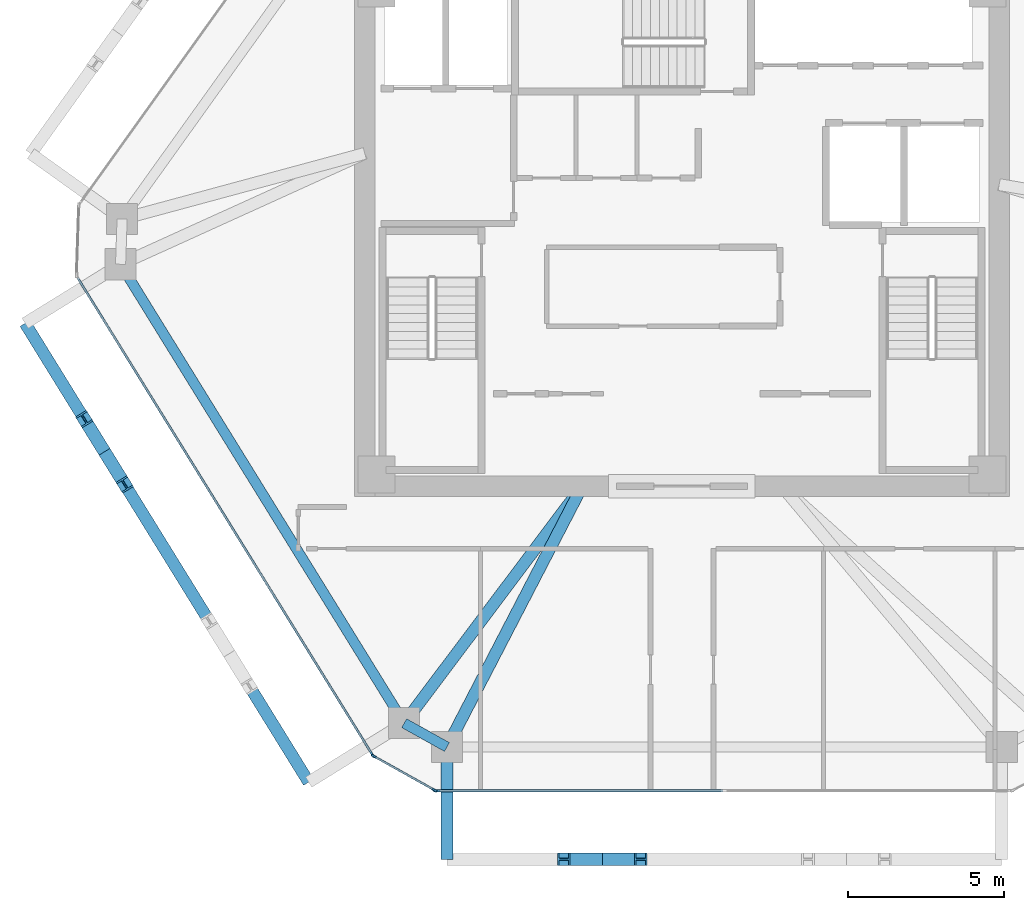
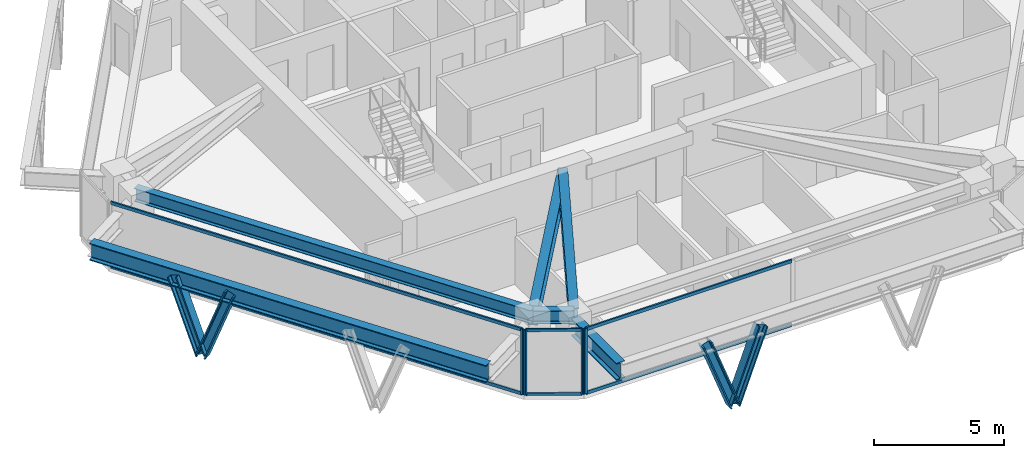
# One storey, part 2 of 11: 14 members, 6 beams, 3 elements without a shape of their own.
"""IFC4 building model written with IfcOpenShell, lengths in metres."""

from ifc_helpers import new_model, si_unit, direction, frame, origin, origin_2d, place, context, subcontext, project, spatial, rectangle, i_section, extrude, source, transform, mapped, material, layer, layer_set, material_profile, profile_set, type_object, type_shapes, element, aggregate, save


model = new_model("IFC4")

# Units and contexts
model_context = context("Model", 3, precision=1e-05, world=origin(), true_north=direction((0.0, 1.0)))
body_context = subcontext(model_context, "Body", "Model", "MODEL_VIEW")
ifc_project = project(units=[si_unit("LENGTHUNIT", "METRE"), si_unit("AREAUNIT", "SQUARE_METRE"), si_unit("VOLUMEUNIT", "CUBIC_METRE"), si_unit("PLANEANGLEUNIT", "RADIAN"), si_unit("MASSUNIT", "GRAM", prefix="KILO")], contexts=[model_context])

# Site, building, storey
site_placement = place(None, origin())
site = spatial("IfcSite", under=ifc_project, at=site_placement, CompositionType="ELEMENT")
building_placement = place(site_placement, origin())
building = spatial("IfcBuilding", under=site, at=building_placement, Name="Durnholm Broadcast Tower", CompositionType="ELEMENT")
storey_placement = place(building_placement, frame((0.0, 0.0, 177.10009765625)))
storey = spatial("IfcBuildingStorey", under=building, at=storey_placement, Name="L48", CompositionType="ELEMENT", Elevation=177.10009765625)

# Beams
ifc_material_1 = material(Name="Steel ASTM A992 Grade 50", Category="steel")
ifc_material_profile_1 = material_profile(ifc_material_1, i_section(OverallWidth=0.385009765625, OverallDepth=0.802978515625, WebThickness=0.023681640625, FlangeThickness=0.0419921875, FilletRadius=0.032958984375, at=origin_2d()), Name="W30X261")
ifc_profile_set_1 = profile_set([ifc_material_profile_1], Name="Steel ASTM A992 Grade 50")
beam_type_1 = type_object("IfcBeamType", Name="BM-EXO-TIE", PredefinedType="USERDEFINED", material=ifc_profile_set_1)
shared_shape_1 = source(origin(), body_context, "Body", "SweptSolid", [
    extrude(i_section(OverallWidth=0.385009765625, OverallDepth=0.802978515625, WebThickness=0.023681640625, FlangeThickness=0.0419921875, FilletRadius=0.032958984375, at=origin_2d()), origin(), (0.0, 0.0, 1.0), 3.4560546875),
])
beam_1_placement = place(storey_placement, frame((-7.53955078125, -16.68603515625, 2.308349609375), z_axis=(0.0, -1.0, 0.0), x_axis=(1.0, 0.0, 0.0)))
element("IfcBeam", 1, at=beam_1_placement, inside=storey, type_object=beam_type_1, Name="L48 exoskeleton stand-off tie bracket F1.1", ObjectType="GIRDER", PredefinedType="USERDEFINED", context=body_context, shape_type="MappedRepresentation", body=[
    mapped(shared_shape_1, transform((0.0, 0.0, 0.0), x_axis=(1.0, 0.0, 0.0), y_axis=(0.0, 1.0, 0.0), z_axis=(0.0, 0.0, 1.0), scale=1.0)),
])
ifc_material_profile_2 = material_profile(ifc_material_1, i_section(OverallWidth=0.3251953125, OverallDepth=0.6162109375, WebThickness=0.013916015625, FlangeThickness=0.021484375, FilletRadius=0.02783203125, at=origin_2d()), Name="W24X117")
ifc_profile_set_2 = profile_set([ifc_material_profile_2], Name="Steel ASTM A992 Grade 50")
beam_type_2 = type_object("IfcBeamType", Name="STL-SP-W24X117", PredefinedType="SPANDREL", material=ifc_profile_set_2)
shared_shape_2 = source(origin(), body_context, "Body", "SweptSolid", [
    extrude(i_section(OverallWidth=0.3251953125, OverallDepth=0.6162109375, WebThickness=0.013916015625, FlangeThickness=0.021484375, FilletRadius=0.02783203125, at=origin_2d()), origin(), (0.0, 0.0, 1.0), 17.3037109375),
])
beam_2_placement = place(storey_placement, frame((-8.91259765625, -15.7763671875, 2.73681640625), z_axis=(-0.525695324718, 0.850672925142, 0.0), x_axis=(-0.850672925142, -0.525695324718, 0.0)))
element("IfcBeam", 2, at=beam_2_placement, inside=storey, type_object=beam_type_2, Name="L48 perimeter spandrel girder 01", PredefinedType="SPANDREL", context=body_context, shape_type="MappedRepresentation", body=[
    mapped(shared_shape_2, transform((0.0, 0.0, 0.0), x_axis=(1.0, 0.0, 0.0), y_axis=(0.0, 1.0, 0.0), z_axis=(0.0, 0.0, 1.0), scale=1.0)),
])
shared_shape_3 = source(origin(), body_context, "Body", "SweptSolid", [
    extrude(i_section(OverallWidth=0.3251953125, OverallDepth=0.6162109375, WebThickness=0.013916015625, FlangeThickness=0.021484375, FilletRadius=0.02783203125, at=origin_2d()), origin(), (0.0, 0.0, 1.0), 1.572021484375),
])
type_shapes(beam_type_2, [shared_shape_2, shared_shape_3])
beam_3_placement = place(storey_placement, frame((-7.53955078125, -16.5419921875, 2.73681640625), z_axis=(-0.873394362663, 0.487013641769, 0.0), x_axis=(-0.487013641769, -0.873394362663, 0.0)))
element("IfcBeam", 3, at=beam_3_placement, inside=storey, type_object=beam_type_2, Name="L48 perimeter spandrel girder 12", PredefinedType="SPANDREL", context=body_context, shape_type="MappedRepresentation", body=[
    mapped(shared_shape_3, transform((0.0, 0.0, 0.0), x_axis=(1.0, 0.0, 0.0), y_axis=(0.0, 1.0, 0.0), z_axis=(0.0, 0.0, 1.0), scale=1.0)),
])
shared_shape_4 = source(origin(), body_context, "Body", "SweptSolid", [
    extrude(i_section(OverallWidth=0.385009765625, OverallDepth=0.802978515625, WebThickness=0.023681640625, FlangeThickness=0.0419921875, FilletRadius=0.032958984375, at=origin_2d()), origin(), (0.0, 0.0, 1.0), 17.303466796875),
])
type_shapes(beam_type_1, [shared_shape_1, shared_shape_4])
beam_4_placement = place(storey_placement, frame((-21.071533203125, -2.94921875, 2.308349609375), z_axis=(0.525701634347, -0.850669025911, 0.0), x_axis=(0.850669025911, 0.525701634347, 0.0)))
element("IfcBeam", 4, at=beam_4_placement, inside=storey, type_object=beam_type_1, Name="L48 exoskeleton collector spandrel F6", PredefinedType="SPANDREL", context=body_context, shape_type="MappedRepresentation", body=[
    mapped(shared_shape_4, transform((0.0, 0.0, 0.0), x_axis=(1.0, 0.0, 0.0), y_axis=(0.0, 1.0, 0.0), z_axis=(0.0, 0.0, 1.0), scale=1.0)),
])
ifc_material_profile_3 = material_profile(ifc_material_1, i_section(OverallWidth=0.380615234375, OverallDepth=0.773193359375, WebThickness=0.0166015625, FlangeThickness=0.027099609375, FilletRadius=0.032958984375, at=origin_2d()), Name="W30X173")
ifc_profile_set_3 = profile_set([ifc_material_profile_3], Name="Steel ASTM A992 Grade 50")
beam_type_3 = type_object("IfcBeamType", Name="STL-GR-W30X173", PredefinedType="USERDEFINED", material=ifc_profile_set_3)
shared_shape_5 = source(origin(), body_context, "Body", "SweptSolid", [
    extrude(i_section(OverallWidth=0.380615234375, OverallDepth=0.773193359375, WebThickness=0.0166015625, FlangeThickness=0.027099609375, FilletRadius=0.032958984375, at=origin_2d()), origin(), (0.0, 0.0, 1.0), 9.508544921875),
])
beam_5_placement = place(storey_placement, frame((-3.199951171875, -8.175048828125, 2.658203125), z_axis=(-0.600784359039, -0.799411129479, 0.0), x_axis=(0.799411129479, -0.600784359039, 0.0)))
element("IfcBeam", 5, at=beam_5_placement, inside=storey, type_object=beam_type_3, Name="L48 radial primary floor girder 01", ObjectType="GIRDER", PredefinedType="USERDEFINED", context=body_context, shape_type="MappedRepresentation", body=[
    mapped(shared_shape_5, transform((0.0, 0.0, 0.0), x_axis=(1.0, 0.0, 0.0), y_axis=(0.0, 1.0, 0.0), z_axis=(0.0, 0.0, 1.0), scale=1.0)),
])
shared_shape_6 = source(origin(), body_context, "Body", "SweptSolid", [
    extrude(i_section(OverallWidth=0.380615234375, OverallDepth=0.773193359375, WebThickness=0.0166015625, FlangeThickness=0.027099609375, FilletRadius=0.032958984375, at=origin_2d()), origin(), (0.0, 0.0, 1.0), 9.42529296875),
])
type_shapes(beam_type_3, [shared_shape_5, shared_shape_6])
beam_6_placement = place(storey_placement, frame((-3.199951171875, -8.175048828125, 2.658203125), z_axis=(-0.460416206992, -0.887703169048, 0.0), x_axis=(0.887703169048, -0.460416206992, 0.0)))
element("IfcBeam", 6, at=beam_6_placement, inside=storey, type_object=beam_type_3, Name="L48 radial primary floor girder 12", ObjectType="GIRDER", PredefinedType="USERDEFINED", context=body_context, shape_type="MappedRepresentation", body=[
    mapped(shared_shape_6, transform((0.0, 0.0, 0.0), x_axis=(1.0, 0.0, 0.0), y_axis=(0.0, 1.0, 0.0), z_axis=(0.0, 0.0, 1.0), scale=1.0)),
])

# Members
ifc_material_2 = material(Name="Steel ASTM A913 Grade 65", Category="steel")
ifc_material_profile_4 = material_profile(ifc_material_2, i_section(OverallWidth=0.412109375, OverallDepth=0.434814453125, WebThickness=0.035888671875, FlangeThickness=0.057373046875, FilletRadius=0.030517578125, at=origin_2d()), Name="W14X311")
ifc_profile_set_4 = profile_set([ifc_material_profile_4], Name="Steel ASTM A913 Grade 65")
member_type_1 = type_object("IfcMemberType", Name="STL-DG-W14X311", PredefinedType="BRACE", material=ifc_profile_set_4)
shared_shape_7 = source(origin(), body_context, "Body", "SweptSolid", [
    extrude(i_section(OverallWidth=0.412109375, OverallDepth=0.434814453125, WebThickness=0.035888671875, FlangeThickness=0.057373046875, FilletRadius=0.030517578125, at=origin_2d()), origin(), (0.0, 0.0, 1.0), 3.52294921875),
])
type_shapes(member_type_1, [shared_shape_7])
for number, where, z_axis, x_axis, name in (
    (7, (-2.556640625, -20.14208984375, -0.991455078125), (-0.35018152026, 0.0, 0.936681857873), (0.0, -1.0, 0.0), "L48 stand-off diagrid brace F1.D1.1"),
    (8, (-2.556640625, -20.14208984375, -0.991455078125), (0.350242321485, 0.0, 0.93665912489), (0.0, 1.0, 0.0), "L48 stand-off diagrid brace F1.D1.2"),
    (9, (-18.5244140625, -7.07080078125, -0.991455078125), (-0.18413098891, 0.297922138248, 0.936663321832), (-0.850644447398, -0.525741404219, 0.0), "L48 stand-off diagrid brace F6.D1.1"),
    (10, (-18.5244140625, -7.07080078125, -0.991455078125), (0.184064036868, -0.297925939192, 0.936675271953), (0.850732935913, 0.525598203719, 0.0), "L48 stand-off diagrid brace F6.D1.2"),
):
    element("IfcMember", number, at=place(storey_placement, frame(where, z_axis=z_axis, x_axis=x_axis)), inside=storey, type_object=member_type_1, Name=name, PredefinedType="BRACE", context=body_context, shape_type="MappedRepresentation", body=[
        mapped(shared_shape_7, transform((0.0, 0.0, 0.0), x_axis=(1.0, 0.0, 0.0), y_axis=(0.0, 1.0, 0.0), z_axis=(0.0, 0.0, 1.0), scale=1.0)),
    ])

# Curtain wall, members
ifc_material_3 = material(Name="Aluminium and Solar Control IGU", Category="aluminium")
ifc_layer_1 = layer(ifc_material_3, 0.1650390625)
ifc_layer_set_1 = layer_set([ifc_layer_1], Name="Aluminium and Solar Control IGU")
curtain_wall_type_1 = type_object("IfcCurtainWallType", Name="CW-SYS-5", PredefinedType="NOTDEFINED", material=ifc_layer_set_1)
curtain_wall_1_placement = place(storey_placement, origin())
curtain_wall_1 = element("IfcCurtainWall", 11, at=curtain_wall_1_placement, inside=storey, type_object=curtain_wall_type_1, Name="L48 curtain wall CW-CORNER CW-L48-CRN-11", PredefinedType="NOTDEFINED")
ifc_material_4 = material(Name="Aluminium 6063-T6", Category="aluminium")
ifc_material_profile_5 = material_profile(ifc_material_4, rectangle(XDim=0.06494140625, YDim=0.1650390625, at=origin_2d()), Name="CWM65X165")
ifc_profile_set_5 = profile_set([ifc_material_profile_5], Name="Aluminium 6063-T6")
member_type_2 = type_object("IfcMemberType", Name="CW-SYS-5-MUL", PredefinedType="MULLION", material=ifc_profile_set_5)
shared_shape_8 = source(origin(), body_context, "Body", "SweptSolid", [
    extrude(rectangle(XDim=0.06494140625, YDim=0.1650390625, at=origin_2d()), origin(), (0.0, 0.0, 1.0), 3.059814453125),
])
type_shapes(member_type_2, [shared_shape_8])
member_1_placement = place(storey_placement, frame((-7.931884765625, -17.92626953125, 0.0), z_axis=(0.0, 0.0, 1.0), x_axis=(-0.486986043316, -0.873409751271, 0.0)))
member_1 = element("IfcMember", 12, at=member_1_placement, type_object=member_type_2, Name="CW-CORNER mullion 1", PredefinedType="MULLION", context=body_context, shape_type="MappedRepresentation", body=[
    mapped(shared_shape_8, transform((0.0, 0.0, 0.0), x_axis=(1.0, 0.0, 0.0), y_axis=(0.0, 1.0, 0.0), z_axis=(0.0, 0.0, 1.0), scale=1.0)),
])
member_2_placement = place(storey_placement, frame((-9.884033203125, -16.837646484375, 0.0), z_axis=(0.0, 0.0, 1.0), x_axis=(-0.486986043316, -0.873409751271, 0.0)))
member_2 = element("IfcMember", 13, at=member_2_placement, type_object=member_type_2, Name="CW-CORNER mullion 2", PredefinedType="MULLION", context=body_context, shape_type="MappedRepresentation", body=[
    mapped(shared_shape_8, transform((0.0, 0.0, 0.0), x_axis=(1.0, 0.0, 0.0), y_axis=(0.0, 1.0, 0.0), z_axis=(0.0, 0.0, 1.0), scale=1.0)),
])
ifc_material_profile_6 = material_profile(ifc_material_4, rectangle(XDim=0.06494140625, YDim=0.1298828125, at=origin_2d()), Name="CWT65X130")
ifc_profile_set_6 = profile_set([ifc_material_profile_6], Name="Aluminium 6063-T6")
member_type_3 = type_object("IfcMemberType", Name="CW-SYS-5-TRN", PredefinedType="USERDEFINED", material=ifc_profile_set_6)
shared_shape_9 = source(origin(), body_context, "Body", "SweptSolid", [
    extrude(rectangle(XDim=0.06494140625, YDim=0.1298828125, at=origin_2d()), origin(), (0.0, 0.0, 1.0), 2.169921875),
])
type_shapes(member_type_3, [shared_shape_9])
member_3_placement = place(storey_placement, frame((-7.960205078125, -17.910400390625, 0.032470703125), z_axis=(-0.873381360539, 0.487036958621, 0.0), x_axis=(-0.487036958621, -0.873381360539, 0.0)))
member_3 = element("IfcMember", 14, at=member_3_placement, type_object=member_type_3, Name="CW-CORNER transom 1.1", ObjectType="TRANSOM", PredefinedType="USERDEFINED", context=body_context, shape_type="MappedRepresentation", body=[
    mapped(shared_shape_9, transform((0.0, 0.0, 0.0), x_axis=(1.0, 0.0, 0.0), y_axis=(0.0, 1.0, 0.0), z_axis=(0.0, 0.0, 1.0), scale=1.0)),
])
member_4_placement = place(storey_placement, frame((-7.960205078125, -17.910400390625, 3.02734375), z_axis=(-0.873381360539, 0.487036958621, 0.0), x_axis=(-0.487036958621, -0.873381360539, 0.0)))
member_4 = element("IfcMember", 15, at=member_4_placement, type_object=member_type_3, Name="CW-CORNER transom 1.2", ObjectType="TRANSOM", PredefinedType="USERDEFINED", context=body_context, shape_type="MappedRepresentation", body=[
    mapped(shared_shape_9, transform((0.0, 0.0, 0.0), x_axis=(1.0, 0.0, 0.0), y_axis=(0.0, 1.0, 0.0), z_axis=(0.0, 0.0, 1.0), scale=1.0)),
])
aggregate(curtain_wall_1, [member_1, member_2, member_3, member_4])

ifc_layer_2 = layer(ifc_material_3, 0.18994140625)
ifc_layer_set_2 = layer_set([ifc_layer_2], Name="Aluminium and Solar Control IGU")
curtain_wall_type_2 = type_object("IfcCurtainWallType", Name="CW-SYS-4", PredefinedType="NOTDEFINED", material=ifc_layer_set_2)
curtain_wall_2_placement = place(storey_placement, origin())
curtain_wall_2 = element("IfcCurtainWall", 16, at=curtain_wall_2_placement, inside=storey, type_object=curtain_wall_type_2, Name="L48 curtain wall CW-Z34-VIS CW-L48-F10", PredefinedType="NOTDEFINED")
ifc_material_profile_7 = material_profile(ifc_material_4, rectangle(XDim=0.070068359375, YDim=0.14990234375, at=origin_2d()), Name="CWT70X150")
ifc_profile_set_7 = profile_set([ifc_material_profile_7], Name="Aluminium 6063-T6")
member_type_4 = type_object("IfcMemberType", Name="CW-SYS-4-TRN", PredefinedType="USERDEFINED", material=ifc_profile_set_7)
shared_shape_10 = source(origin(), body_context, "Body", "SweptSolid", [
    extrude(rectangle(XDim=0.070068359375, YDim=0.14990234375, at=origin_2d()), origin(), (0.0, 0.0, 1.0), 9.14453125),
])
member_5_placement = place(storey_placement, frame((1.31103515625, -17.94189453125, 0.034912109375), z_axis=(-1.0, 0.0, 0.0), x_axis=(0.0, -1.0, 0.0)))
member_5 = element("IfcMember", 17, at=member_5_placement, type_object=member_type_4, Name="CW-Z34-VIS transom 2.1", ObjectType="TRANSOM", PredefinedType="USERDEFINED", context=body_context, shape_type="MappedRepresentation", body=[
    mapped(shared_shape_10, transform((0.0, 0.0, 0.0), x_axis=(1.0, 0.0, 0.0), y_axis=(0.0, 1.0, 0.0), z_axis=(0.0, 0.0, 1.0), scale=1.0)),
])
member_6_placement = place(storey_placement, frame((1.31103515625, -17.94189453125, 3.02490234375), z_axis=(-1.0, 0.0, 0.0), x_axis=(0.0, -1.0, 0.0)))
member_6 = element("IfcMember", 18, at=member_6_placement, type_object=member_type_4, Name="CW-Z34-VIS transom 2.2", ObjectType="TRANSOM", PredefinedType="USERDEFINED", context=body_context, shape_type="MappedRepresentation", body=[
    mapped(shared_shape_10, transform((0.0, 0.0, 0.0), x_axis=(1.0, 0.0, 0.0), y_axis=(0.0, 1.0, 0.0), z_axis=(0.0, 0.0, 1.0), scale=1.0)),
])

curtain_wall_3_placement = place(storey_placement, origin())
curtain_wall_3 = element("IfcCurtainWall", 19, at=curtain_wall_3_placement, inside=storey, type_object=curtain_wall_type_2, Name="L48 curtain wall CW-Z34-VIS CW-L48-F12", PredefinedType="NOTDEFINED")
shared_shape_11 = source(origin(), body_context, "Body", "SweptSolid", [
    extrude(rectangle(XDim=0.070068359375, YDim=0.14990234375, at=origin_2d()), origin(), (0.0, 0.0, 1.0), 17.951171875),
])
type_shapes(member_type_4, [shared_shape_10, shared_shape_11])
member_7_placement = place(storey_placement, frame((-9.94921875, -16.762451171875, 0.034912109375), z_axis=(-0.525693813807, 0.850673858847, 0.0), x_axis=(-0.850673858847, -0.525693813807, 0.0)))
member_7 = element("IfcMember", 20, at=member_7_placement, type_object=member_type_4, Name="CW-Z34-VIS transom 1.1", ObjectType="TRANSOM", PredefinedType="USERDEFINED", context=body_context, shape_type="MappedRepresentation", body=[
    mapped(shared_shape_11, transform((0.0, 0.0, 0.0), x_axis=(1.0, 0.0, 0.0), y_axis=(0.0, 1.0, 0.0), z_axis=(0.0, 0.0, 1.0), scale=1.0)),
])
member_8_placement = place(storey_placement, frame((-9.94921875, -16.762451171875, 3.02490234375), z_axis=(-0.525693813807, 0.850673858847, 0.0), x_axis=(-0.850673858847, -0.525693813807, 0.0)))
member_8 = element("IfcMember", 21, at=member_8_placement, type_object=member_type_4, Name="CW-Z34-VIS transom 1.2", ObjectType="TRANSOM", PredefinedType="USERDEFINED", context=body_context, shape_type="MappedRepresentation", body=[
    mapped(shared_shape_11, transform((0.0, 0.0, 0.0), x_axis=(1.0, 0.0, 0.0), y_axis=(0.0, 1.0, 0.0), z_axis=(0.0, 0.0, 1.0), scale=1.0)),
])

# Member
ifc_material_profile_8 = material_profile(ifc_material_4, rectangle(XDim=0.070068359375, YDim=0.18994140625, at=origin_2d()), Name="CWM70X190")
ifc_profile_set_8 = profile_set([ifc_material_profile_8], Name="Aluminium 6063-T6")
member_type_5 = type_object("IfcMemberType", Name="CW-SYS-4-MUL", PredefinedType="MULLION", material=ifc_profile_set_8)
shared_shape_12 = source(origin(), body_context, "Body", "SweptSolid", [
    extrude(rectangle(XDim=0.070068359375, YDim=0.18994140625, at=origin_2d()), origin(), (0.0, 0.0, 1.0), 3.059814453125),
])
type_shapes(member_type_5, [shared_shape_12])
member_9_placement = place(storey_placement, frame((-7.868408203125, -17.94189453125, 0.0), z_axis=(0.0, 0.0, 1.0), x_axis=(0.0, -1.0, 0.0)))
member_9 = element("IfcMember", 22, at=member_9_placement, type_object=member_type_5, Name="CW-Z34-VIS mullion 3", PredefinedType="MULLION", context=body_context, shape_type="MappedRepresentation", body=[
    mapped(shared_shape_12, transform((0.0, 0.0, 0.0), x_axis=(1.0, 0.0, 0.0), y_axis=(0.0, 1.0, 0.0), z_axis=(0.0, 0.0, 1.0), scale=1.0)),
])

aggregate(curtain_wall_2, [member_9, member_5, member_6])

member_10_placement = place(storey_placement, frame((-9.9306640625, -16.792236328125, 0.0), z_axis=(0.0, 0.0, 1.0), x_axis=(-0.850671426092, -0.525697750452, 0.0)))
member_10 = element("IfcMember", 23, at=member_10_placement, type_object=member_type_5, Name="CW-Z34-VIS mullion 1", PredefinedType="MULLION", context=body_context, shape_type="MappedRepresentation", body=[
    mapped(shared_shape_12, transform((0.0, 0.0, 0.0), x_axis=(1.0, 0.0, 0.0), y_axis=(0.0, 1.0, 0.0), z_axis=(0.0, 0.0, 1.0), scale=1.0)),
])

aggregate(curtain_wall_3, [member_10, member_7, member_8])

save(model, "model.ifc")
